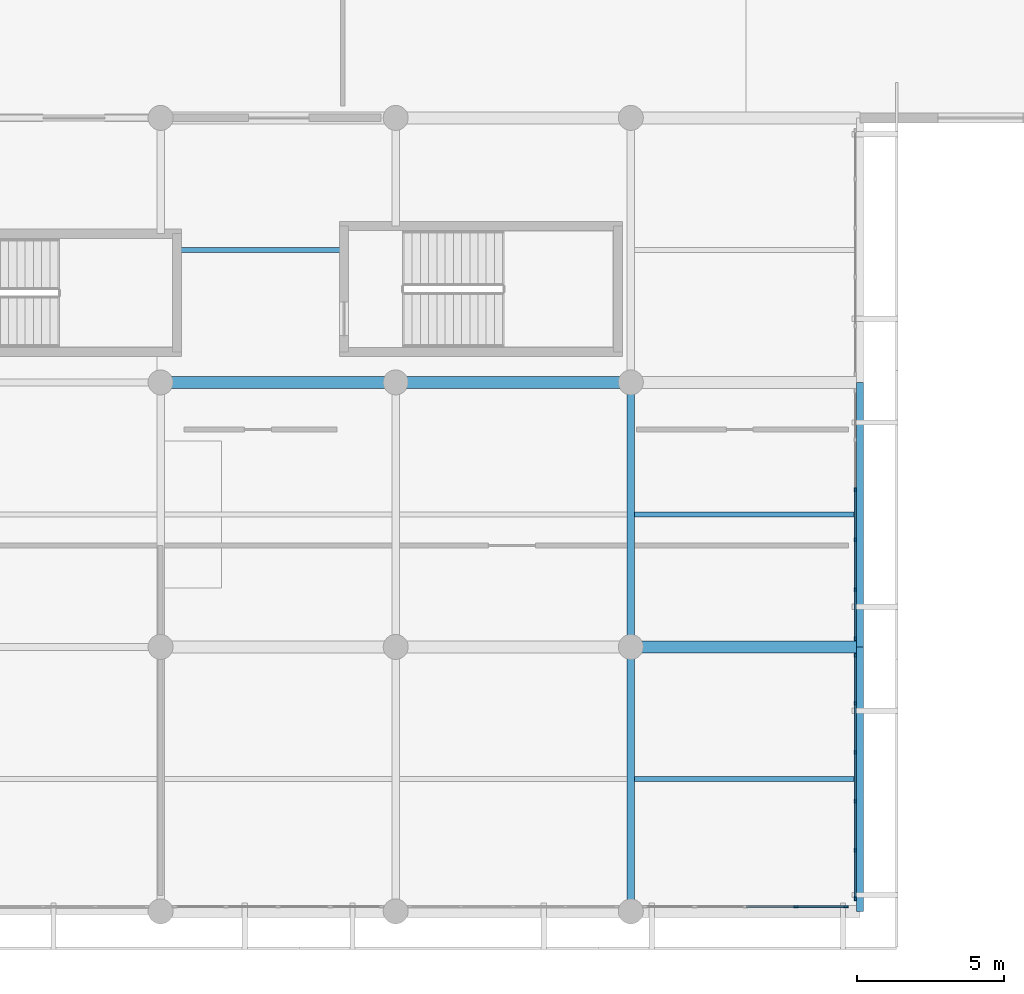
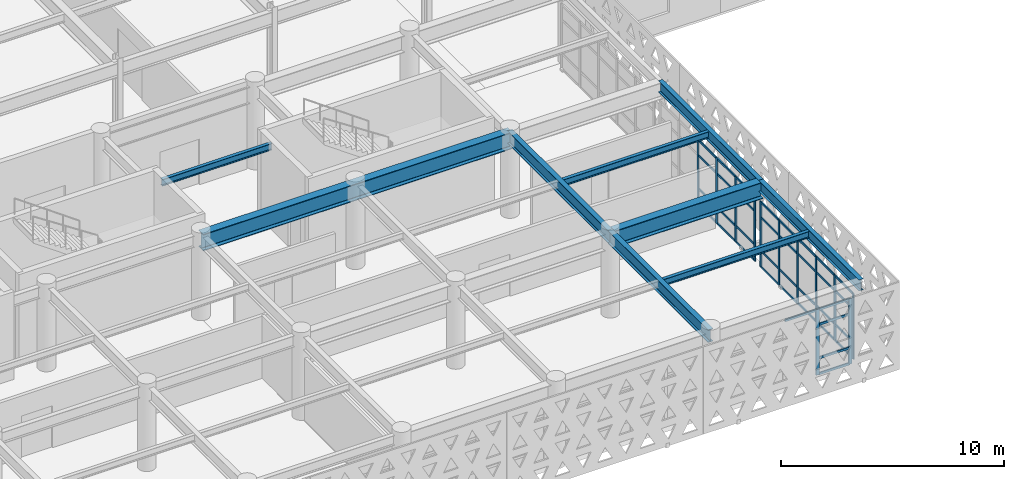
# One storey, part 18 of 54: 49 members, 9 beams, 3 elements without a shape of their own.
"""IFC4 building model written with IfcOpenShell, lengths in metres."""

from ifc_helpers import new_model, si_unit, direction, frame, origin, origin_2d, place, context, subcontext, project, spatial, rectangle, i_section, extrude, material, layer, layer_set, material_profile, profile_set, type_object, element, aggregate, save


model = new_model("IFC4")

# Units and contexts
model_context = context("Model", 3, precision=1e-05, world=origin(), true_north=direction((0.0, 1.0)))
body_context = subcontext(model_context, "Body", "Model", "MODEL_VIEW")
ifc_project = project(units=[si_unit("LENGTHUNIT", "METRE"), si_unit("AREAUNIT", "SQUARE_METRE"), si_unit("VOLUMEUNIT", "CUBIC_METRE"), si_unit("PLANEANGLEUNIT", "RADIAN"), si_unit("MASSUNIT", "GRAM", prefix="KILO")], contexts=[model_context])

# Site, building, storey
site_placement = place(None, origin())
site = spatial("IfcSite", under=ifc_project, at=site_placement, CompositionType="ELEMENT")
building_placement = place(site_placement, origin())
building = spatial("IfcBuilding", under=site, at=building_placement, Name="Tlacozan Convention Centre", CompositionType="ELEMENT")
storey_placement = place(building_placement, frame((0.0, 0.0, 11.39990234375)))
storey = spatial("IfcBuildingStorey", under=building, at=storey_placement, Name="L02", CompositionType="ELEMENT", Elevation=11.39990234375)

# Beam
ifc_material_1 = material(Name="Steel ASTM A992 Grade 50", Category="steel")
ifc_material_profile_1 = material_profile(ifc_material_1, i_section(OverallWidth=0.41796875, OverallDepth=0.912109375, WebThickness=0.019287109375, FlangeThickness=0.031982421875, FilletRadius=0.02001953125, at=origin_2d()), Name="IR 914x342.0")
ifc_profile_set_1 = profile_set([ifc_material_profile_1], Name="Steel ASTM A992 Grade 50")
beam_type_1 = type_object("IfcBeamType", Name="Cantilever Girder IR 914x342", PredefinedType="BEAM", material=ifc_profile_set_1)
beam_1_placement = place(storey_placement, frame((112.0, 9.0, 4.093994140625), z_axis=(1.0, 0.0, 0.0), x_axis=(0.0, 1.0, 0.0)))
element("IfcBeam", 1, at=beam_1_placement, inside=storey, type_object=beam_type_1, Name="L02 Cantilever Girder IR 914x342 455", PredefinedType="BEAM", context=body_context, shape_type="SweptSolid", body=[
    extrude(i_section(OverallWidth=0.41796875, OverallDepth=0.912109375, WebThickness=0.019287109375, FlangeThickness=0.031982421875, FilletRadius=0.02001953125, at=origin_2d()), origin(), (0.0, 0.0, 1.0), 7.800048828125),
])

# Curtain wall, members
ifc_material_2 = material(Name="Dark Bronze Anodised Aluminium", Category="aluminium")
ifc_layer_1 = layer(ifc_material_2, 0.159912109375)
ifc_layer_set_1 = layer_set([ifc_layer_1], Name="Dark Bronze Anodised Aluminium")
curtain_wall_type_1 = type_object("IfcCurtainWallType", Name="Unitised Congress Gable End CW06", PredefinedType="NOTDEFINED", material=ifc_layer_set_1)
curtain_wall_1_placement = place(storey_placement, origin())
curtain_wall_1 = element("IfcCurtainWall", 2, at=curtain_wall_1_placement, inside=storey, type_object=curtain_wall_type_1, Name="L02 CW-06 Run 97", PredefinedType="NOTDEFINED")
ifc_material_profile_2 = material_profile(ifc_material_2, rectangle(XDim=0.06005859375, YDim=0.139892578125, at=origin_2d()), Name="ALU 60x140")
ifc_profile_set_2 = profile_set([ifc_material_profile_2], Name="Dark Bronze Anodised Aluminium")
member_type_1 = type_object("IfcMemberType", Name="Curtain Wall Light Mullion 60x140", PredefinedType="MULLION", material=ifc_profile_set_2)
member_1_placement = place(storey_placement, frame((119.639892578125, 0.43994140625, 0.0), z_axis=(0.0, 0.0, 1.0), x_axis=(-1.0, 0.0, 0.0)))
member_1 = element("IfcMember", 3, at=member_1_placement, type_object=member_type_1, Name="CW-06 mullion 1", PredefinedType="MULLION", context=body_context, shape_type="SweptSolid", body=[
    extrude(rectangle(XDim=0.06005859375, YDim=0.139892578125, at=origin_2d()), origin(), (0.0, 0.0, 1.0), 3.590087890625),
])
member_2_placement = place(storey_placement, frame((119.639892578125, 2.077880859375, 0.0), z_axis=(0.0, 0.0, 1.0), x_axis=(-1.0, 0.0, 0.0)))
member_2 = element("IfcMember", 4, at=member_2_placement, type_object=member_type_1, Name="CW-06 mullion 2", PredefinedType="MULLION", context=body_context, shape_type="SweptSolid", body=[
    extrude(rectangle(XDim=0.06005859375, YDim=0.139892578125, at=origin_2d()), origin(), (0.0, 0.0, 1.0), 3.590087890625),
])
member_3_placement = place(storey_placement, frame((119.639892578125, 3.74609375, 0.0), z_axis=(0.0, 0.0, 1.0), x_axis=(-1.0, 0.0, 0.0)))
member_3 = element("IfcMember", 5, at=member_3_placement, type_object=member_type_1, Name="CW-06 mullion 3", PredefinedType="MULLION", context=body_context, shape_type="SweptSolid", body=[
    extrude(rectangle(XDim=0.06005859375, YDim=0.139892578125, at=origin_2d()), origin(), (0.0, 0.0, 1.0), 3.590087890625),
])
member_4_placement = place(storey_placement, frame((119.639892578125, 5.4140625, 0.0), z_axis=(0.0, 0.0, 1.0), x_axis=(-1.0, 0.0, 0.0)))
member_4 = element("IfcMember", 6, at=member_4_placement, type_object=member_type_1, Name="CW-06 mullion 4", PredefinedType="MULLION", context=body_context, shape_type="SweptSolid", body=[
    extrude(rectangle(XDim=0.06005859375, YDim=0.139892578125, at=origin_2d()), origin(), (0.0, 0.0, 1.0), 3.590087890625),
])
member_5_placement = place(storey_placement, frame((119.639892578125, 7.08203125, 0.0), z_axis=(0.0, 0.0, 1.0), x_axis=(-1.0, 0.0, 0.0)))
member_5 = element("IfcMember", 7, at=member_5_placement, type_object=member_type_1, Name="CW-06 mullion 5", PredefinedType="MULLION", context=body_context, shape_type="SweptSolid", body=[
    extrude(rectangle(XDim=0.06005859375, YDim=0.139892578125, at=origin_2d()), origin(), (0.0, 0.0, 1.0), 3.590087890625),
])
member_6_placement = place(storey_placement, frame((119.639892578125, 8.719970703125, 0.0), z_axis=(0.0, 0.0, 1.0), x_axis=(-1.0, 0.0, 0.0)))
member_6 = element("IfcMember", 8, at=member_6_placement, type_object=member_type_1, Name="CW-06 mullion 6", PredefinedType="MULLION", context=body_context, shape_type="SweptSolid", body=[
    extrude(rectangle(XDim=0.06005859375, YDim=0.139892578125, at=origin_2d()), origin(), (0.0, 0.0, 1.0), 3.590087890625),
])

curtain_wall_2_placement = place(storey_placement, origin())
curtain_wall_2 = element("IfcCurtainWall", 9, at=curtain_wall_2_placement, inside=storey, type_object=curtain_wall_type_1, Name="L02 CW-06 Run 99", PredefinedType="NOTDEFINED")
member_7_placement = place(storey_placement, frame((119.639892578125, 9.280029296875, 0.0), z_axis=(0.0, 0.0, 1.0), x_axis=(-1.0, 0.0, 0.0)))
member_7 = element("IfcMember", 10, at=member_7_placement, type_object=member_type_1, Name="CW-06 mullion 1", PredefinedType="MULLION", context=body_context, shape_type="SweptSolid", body=[
    extrude(rectangle(XDim=0.06005859375, YDim=0.139892578125, at=origin_2d()), origin(), (0.0, 0.0, 1.0), 3.590087890625),
])
member_8_placement = place(storey_placement, frame((119.639892578125, 10.949951171875, 0.0), z_axis=(0.0, 0.0, 1.0), x_axis=(-1.0, 0.0, 0.0)))
member_8 = element("IfcMember", 11, at=member_8_placement, type_object=member_type_1, Name="CW-06 mullion 2", PredefinedType="MULLION", context=body_context, shape_type="SweptSolid", body=[
    extrude(rectangle(XDim=0.06005859375, YDim=0.139892578125, at=origin_2d()), origin(), (0.0, 0.0, 1.0), 3.590087890625),
])
member_9_placement = place(storey_placement, frame((119.639892578125, 12.64990234375, 0.0), z_axis=(0.0, 0.0, 1.0), x_axis=(-1.0, 0.0, 0.0)))
member_9 = element("IfcMember", 12, at=member_9_placement, type_object=member_type_1, Name="CW-06 mullion 3", PredefinedType="MULLION", context=body_context, shape_type="SweptSolid", body=[
    extrude(rectangle(XDim=0.06005859375, YDim=0.139892578125, at=origin_2d()), origin(), (0.0, 0.0, 1.0), 3.590087890625),
])
member_10_placement = place(storey_placement, frame((119.639892578125, 14.35009765625, 0.0), z_axis=(0.0, 0.0, 1.0), x_axis=(-1.0, 0.0, 0.0)))
member_10 = element("IfcMember", 13, at=member_10_placement, type_object=member_type_1, Name="CW-06 mullion 4", PredefinedType="MULLION", context=body_context, shape_type="SweptSolid", body=[
    extrude(rectangle(XDim=0.06005859375, YDim=0.139892578125, at=origin_2d()), origin(), (0.0, 0.0, 1.0), 3.590087890625),
])

# Member
ifc_material_profile_3 = material_profile(ifc_material_2, rectangle(XDim=0.06005859375, YDim=0.110107421875, at=origin_2d()), Name="ALU 60x110")
ifc_profile_set_3 = profile_set([ifc_material_profile_3], Name="Dark Bronze Anodised Aluminium")
member_type_2 = type_object("IfcMemberType", Name="Curtain Wall Light Transom 60x110", PredefinedType="USERDEFINED", material=ifc_profile_set_3)
member_11_placement = place(storey_placement, frame((119.639892578125, 0.469970703125, 0.030029296875), z_axis=(0.0, 1.0, 0.0), x_axis=(-1.0, 0.0, 0.0)))
member_11 = element("IfcMember", 14, at=member_11_placement, type_object=member_type_2, Name="CW-06 transom 1.1", ObjectType="TRANSOM", PredefinedType="USERDEFINED", context=body_context, shape_type="SweptSolid", body=[
    extrude(rectangle(XDim=0.06005859375, YDim=0.110107421875, at=origin_2d()), origin(), (0.0, 0.0, 1.0), 1.578125),
])

member_12_placement = place(storey_placement, frame((119.639892578125, 0.469970703125, 0.900146484375), z_axis=(0.0, 1.0, 0.0), x_axis=(-1.0, 0.0, 0.0)))
member_12 = element("IfcMember", 15, at=member_12_placement, type_object=member_type_2, Name="CW-06 transom 1.2", ObjectType="TRANSOM", PredefinedType="USERDEFINED", context=body_context, shape_type="SweptSolid", body=[
    extrude(rectangle(XDim=0.06005859375, YDim=0.110107421875, at=origin_2d()), origin(), (0.0, 0.0, 1.0), 1.578125),
])

member_13_placement = place(storey_placement, frame((119.639892578125, 0.469970703125, 2.739990234375), z_axis=(0.0, 1.0, 0.0), x_axis=(-1.0, 0.0, 0.0)))
member_13 = element("IfcMember", 16, at=member_13_placement, type_object=member_type_2, Name="CW-06 transom 1.3", ObjectType="TRANSOM", PredefinedType="USERDEFINED", context=body_context, shape_type="SweptSolid", body=[
    extrude(rectangle(XDim=0.06005859375, YDim=0.110107421875, at=origin_2d()), origin(), (0.0, 0.0, 1.0), 1.578125),
])

member_14_placement = place(storey_placement, frame((119.639892578125, 0.469970703125, 3.56005859375), z_axis=(0.0, 1.0, 0.0), x_axis=(-1.0, 0.0, 0.0)))
member_14 = element("IfcMember", 17, at=member_14_placement, type_object=member_type_2, Name="CW-06 transom 1.4", ObjectType="TRANSOM", PredefinedType="USERDEFINED", context=body_context, shape_type="SweptSolid", body=[
    extrude(rectangle(XDim=0.06005859375, YDim=0.110107421875, at=origin_2d()), origin(), (0.0, 0.0, 1.0), 1.578125),
])

member_15_placement = place(storey_placement, frame((119.639892578125, 2.10791015625, 0.030029296875), z_axis=(0.0, 1.0, 0.0), x_axis=(-1.0, 0.0, 0.0)))
member_15 = element("IfcMember", 18, at=member_15_placement, type_object=member_type_2, Name="CW-06 transom 2.1", ObjectType="TRANSOM", PredefinedType="USERDEFINED", context=body_context, shape_type="SweptSolid", body=[
    extrude(rectangle(XDim=0.06005859375, YDim=0.110107421875, at=origin_2d()), origin(), (0.0, 0.0, 1.0), 1.608154296875),
])

member_16_placement = place(storey_placement, frame((119.639892578125, 2.10791015625, 0.900146484375), z_axis=(0.0, 1.0, 0.0), x_axis=(-1.0, 0.0, 0.0)))
member_16 = element("IfcMember", 19, at=member_16_placement, type_object=member_type_2, Name="CW-06 transom 2.2", ObjectType="TRANSOM", PredefinedType="USERDEFINED", context=body_context, shape_type="SweptSolid", body=[
    extrude(rectangle(XDim=0.06005859375, YDim=0.110107421875, at=origin_2d()), origin(), (0.0, 0.0, 1.0), 1.608154296875),
])

member_17_placement = place(storey_placement, frame((119.639892578125, 2.10791015625, 2.739990234375), z_axis=(0.0, 1.0, 0.0), x_axis=(-1.0, 0.0, 0.0)))
member_17 = element("IfcMember", 20, at=member_17_placement, type_object=member_type_2, Name="CW-06 transom 2.3", ObjectType="TRANSOM", PredefinedType="USERDEFINED", context=body_context, shape_type="SweptSolid", body=[
    extrude(rectangle(XDim=0.06005859375, YDim=0.110107421875, at=origin_2d()), origin(), (0.0, 0.0, 1.0), 1.608154296875),
])

member_18_placement = place(storey_placement, frame((119.639892578125, 2.10791015625, 3.56005859375), z_axis=(0.0, 1.0, 0.0), x_axis=(-1.0, 0.0, 0.0)))
member_18 = element("IfcMember", 21, at=member_18_placement, type_object=member_type_2, Name="CW-06 transom 2.4", ObjectType="TRANSOM", PredefinedType="USERDEFINED", context=body_context, shape_type="SweptSolid", body=[
    extrude(rectangle(XDim=0.06005859375, YDim=0.110107421875, at=origin_2d()), origin(), (0.0, 0.0, 1.0), 1.608154296875),
])

member_19_placement = place(storey_placement, frame((119.639892578125, 3.77587890625, 0.030029296875), z_axis=(0.0, 1.0, 0.0), x_axis=(-1.0, 0.0, 0.0)))
member_19 = element("IfcMember", 22, at=member_19_placement, type_object=member_type_2, Name="CW-06 transom 3.1", ObjectType="TRANSOM", PredefinedType="USERDEFINED", context=body_context, shape_type="SweptSolid", body=[
    extrude(rectangle(XDim=0.06005859375, YDim=0.110107421875, at=origin_2d()), origin(), (0.0, 0.0, 1.0), 1.608154296875),
])

member_20_placement = place(storey_placement, frame((119.639892578125, 3.77587890625, 0.900146484375), z_axis=(0.0, 1.0, 0.0), x_axis=(-1.0, 0.0, 0.0)))
member_20 = element("IfcMember", 23, at=member_20_placement, type_object=member_type_2, Name="CW-06 transom 3.2", ObjectType="TRANSOM", PredefinedType="USERDEFINED", context=body_context, shape_type="SweptSolid", body=[
    extrude(rectangle(XDim=0.06005859375, YDim=0.110107421875, at=origin_2d()), origin(), (0.0, 0.0, 1.0), 1.608154296875),
])

member_21_placement = place(storey_placement, frame((119.639892578125, 3.77587890625, 2.739990234375), z_axis=(0.0, 1.0, 0.0), x_axis=(-1.0, 0.0, 0.0)))
member_21 = element("IfcMember", 24, at=member_21_placement, type_object=member_type_2, Name="CW-06 transom 3.3", ObjectType="TRANSOM", PredefinedType="USERDEFINED", context=body_context, shape_type="SweptSolid", body=[
    extrude(rectangle(XDim=0.06005859375, YDim=0.110107421875, at=origin_2d()), origin(), (0.0, 0.0, 1.0), 1.608154296875),
])

member_22_placement = place(storey_placement, frame((119.639892578125, 3.77587890625, 3.56005859375), z_axis=(0.0, 1.0, 0.0), x_axis=(-1.0, 0.0, 0.0)))
member_22 = element("IfcMember", 25, at=member_22_placement, type_object=member_type_2, Name="CW-06 transom 3.4", ObjectType="TRANSOM", PredefinedType="USERDEFINED", context=body_context, shape_type="SweptSolid", body=[
    extrude(rectangle(XDim=0.06005859375, YDim=0.110107421875, at=origin_2d()), origin(), (0.0, 0.0, 1.0), 1.608154296875),
])

member_23_placement = place(storey_placement, frame((119.639892578125, 5.444091796875, 0.030029296875), z_axis=(0.0, 1.0, 0.0), x_axis=(-1.0, 0.0, 0.0)))
member_23 = element("IfcMember", 26, at=member_23_placement, type_object=member_type_2, Name="CW-06 transom 4.1", ObjectType="TRANSOM", PredefinedType="USERDEFINED", context=body_context, shape_type="SweptSolid", body=[
    extrude(rectangle(XDim=0.06005859375, YDim=0.110107421875, at=origin_2d()), origin(), (0.0, 0.0, 1.0), 1.60791015625),
])

member_24_placement = place(storey_placement, frame((119.639892578125, 5.444091796875, 0.900146484375), z_axis=(0.0, 1.0, 0.0), x_axis=(-1.0, 0.0, 0.0)))
member_24 = element("IfcMember", 27, at=member_24_placement, type_object=member_type_2, Name="CW-06 transom 4.2", ObjectType="TRANSOM", PredefinedType="USERDEFINED", context=body_context, shape_type="SweptSolid", body=[
    extrude(rectangle(XDim=0.06005859375, YDim=0.110107421875, at=origin_2d()), origin(), (0.0, 0.0, 1.0), 1.60791015625),
])

member_25_placement = place(storey_placement, frame((119.639892578125, 5.444091796875, 2.739990234375), z_axis=(0.0, 1.0, 0.0), x_axis=(-1.0, 0.0, 0.0)))
member_25 = element("IfcMember", 28, at=member_25_placement, type_object=member_type_2, Name="CW-06 transom 4.3", ObjectType="TRANSOM", PredefinedType="USERDEFINED", context=body_context, shape_type="SweptSolid", body=[
    extrude(rectangle(XDim=0.06005859375, YDim=0.110107421875, at=origin_2d()), origin(), (0.0, 0.0, 1.0), 1.60791015625),
])

member_26_placement = place(storey_placement, frame((119.639892578125, 5.444091796875, 3.56005859375), z_axis=(0.0, 1.0, 0.0), x_axis=(-1.0, 0.0, 0.0)))
member_26 = element("IfcMember", 29, at=member_26_placement, type_object=member_type_2, Name="CW-06 transom 4.4", ObjectType="TRANSOM", PredefinedType="USERDEFINED", context=body_context, shape_type="SweptSolid", body=[
    extrude(rectangle(XDim=0.06005859375, YDim=0.110107421875, at=origin_2d()), origin(), (0.0, 0.0, 1.0), 1.60791015625),
])

member_27_placement = place(storey_placement, frame((119.639892578125, 7.112060546875, 0.030029296875), z_axis=(0.0, 1.0, 0.0), x_axis=(-1.0, 0.0, 0.0)))
member_27 = element("IfcMember", 30, at=member_27_placement, type_object=member_type_2, Name="CW-06 transom 5.1", ObjectType="TRANSOM", PredefinedType="USERDEFINED", context=body_context, shape_type="SweptSolid", body=[
    extrude(rectangle(XDim=0.06005859375, YDim=0.110107421875, at=origin_2d()), origin(), (0.0, 0.0, 1.0), 1.577880859375),
])

member_28_placement = place(storey_placement, frame((119.639892578125, 7.112060546875, 0.900146484375), z_axis=(0.0, 1.0, 0.0), x_axis=(-1.0, 0.0, 0.0)))
member_28 = element("IfcMember", 31, at=member_28_placement, type_object=member_type_2, Name="CW-06 transom 5.2", ObjectType="TRANSOM", PredefinedType="USERDEFINED", context=body_context, shape_type="SweptSolid", body=[
    extrude(rectangle(XDim=0.06005859375, YDim=0.110107421875, at=origin_2d()), origin(), (0.0, 0.0, 1.0), 1.577880859375),
])

member_29_placement = place(storey_placement, frame((119.639892578125, 7.112060546875, 2.739990234375), z_axis=(0.0, 1.0, 0.0), x_axis=(-1.0, 0.0, 0.0)))
member_29 = element("IfcMember", 32, at=member_29_placement, type_object=member_type_2, Name="CW-06 transom 5.3", ObjectType="TRANSOM", PredefinedType="USERDEFINED", context=body_context, shape_type="SweptSolid", body=[
    extrude(rectangle(XDim=0.06005859375, YDim=0.110107421875, at=origin_2d()), origin(), (0.0, 0.0, 1.0), 1.577880859375),
])

member_30_placement = place(storey_placement, frame((119.639892578125, 7.112060546875, 3.56005859375), z_axis=(0.0, 1.0, 0.0), x_axis=(-1.0, 0.0, 0.0)))
member_30 = element("IfcMember", 33, at=member_30_placement, type_object=member_type_2, Name="CW-06 transom 5.4", ObjectType="TRANSOM", PredefinedType="USERDEFINED", context=body_context, shape_type="SweptSolid", body=[
    extrude(rectangle(XDim=0.06005859375, YDim=0.110107421875, at=origin_2d()), origin(), (0.0, 0.0, 1.0), 1.577880859375),
])

aggregate(curtain_wall_1, [member_1, member_2, member_3, member_4, member_5, member_6, member_11, member_12, member_13, member_14, member_15, member_16, member_17, member_18, member_19, member_20, member_21, member_22, member_23, member_24, member_25, member_26, member_27, member_28, member_29, member_30])

member_31_placement = place(storey_placement, frame((119.639892578125, 9.31005859375, 0.030029296875), z_axis=(0.0, 1.0, 0.0), x_axis=(-1.0, 0.0, 0.0)))
member_31 = element("IfcMember", 34, at=member_31_placement, type_object=member_type_2, Name="CW-06 transom 1.1", ObjectType="TRANSOM", PredefinedType="USERDEFINED", context=body_context, shape_type="SweptSolid", body=[
    extrude(rectangle(XDim=0.06005859375, YDim=0.110107421875, at=origin_2d()), origin(), (0.0, 0.0, 1.0), 1.60986328125),
])

member_32_placement = place(storey_placement, frame((119.639892578125, 9.31005859375, 0.900146484375), z_axis=(0.0, 1.0, 0.0), x_axis=(-1.0, 0.0, 0.0)))
member_32 = element("IfcMember", 35, at=member_32_placement, type_object=member_type_2, Name="CW-06 transom 1.2", ObjectType="TRANSOM", PredefinedType="USERDEFINED", context=body_context, shape_type="SweptSolid", body=[
    extrude(rectangle(XDim=0.06005859375, YDim=0.110107421875, at=origin_2d()), origin(), (0.0, 0.0, 1.0), 1.60986328125),
])

member_33_placement = place(storey_placement, frame((119.639892578125, 9.31005859375, 2.739990234375), z_axis=(0.0, 1.0, 0.0), x_axis=(-1.0, 0.0, 0.0)))
member_33 = element("IfcMember", 36, at=member_33_placement, type_object=member_type_2, Name="CW-06 transom 1.3", ObjectType="TRANSOM", PredefinedType="USERDEFINED", context=body_context, shape_type="SweptSolid", body=[
    extrude(rectangle(XDim=0.06005859375, YDim=0.110107421875, at=origin_2d()), origin(), (0.0, 0.0, 1.0), 1.60986328125),
])

member_34_placement = place(storey_placement, frame((119.639892578125, 9.31005859375, 3.56005859375), z_axis=(0.0, 1.0, 0.0), x_axis=(-1.0, 0.0, 0.0)))
member_34 = element("IfcMember", 37, at=member_34_placement, type_object=member_type_2, Name="CW-06 transom 1.4", ObjectType="TRANSOM", PredefinedType="USERDEFINED", context=body_context, shape_type="SweptSolid", body=[
    extrude(rectangle(XDim=0.06005859375, YDim=0.110107421875, at=origin_2d()), origin(), (0.0, 0.0, 1.0), 1.60986328125),
])

member_35_placement = place(storey_placement, frame((119.639892578125, 10.97998046875, 0.030029296875), z_axis=(0.0, 1.0, 0.0), x_axis=(-1.0, 0.0, 0.0)))
member_35 = element("IfcMember", 38, at=member_35_placement, type_object=member_type_2, Name="CW-06 transom 2.1", ObjectType="TRANSOM", PredefinedType="USERDEFINED", context=body_context, shape_type="SweptSolid", body=[
    extrude(rectangle(XDim=0.06005859375, YDim=0.110107421875, at=origin_2d()), origin(), (0.0, 0.0, 1.0), 1.64013671875),
])

member_36_placement = place(storey_placement, frame((119.639892578125, 10.97998046875, 0.900146484375), z_axis=(0.0, 1.0, 0.0), x_axis=(-1.0, 0.0, 0.0)))
member_36 = element("IfcMember", 39, at=member_36_placement, type_object=member_type_2, Name="CW-06 transom 2.2", ObjectType="TRANSOM", PredefinedType="USERDEFINED", context=body_context, shape_type="SweptSolid", body=[
    extrude(rectangle(XDim=0.06005859375, YDim=0.110107421875, at=origin_2d()), origin(), (0.0, 0.0, 1.0), 1.64013671875),
])

member_37_placement = place(storey_placement, frame((119.639892578125, 10.97998046875, 2.739990234375), z_axis=(0.0, 1.0, 0.0), x_axis=(-1.0, 0.0, 0.0)))
member_37 = element("IfcMember", 40, at=member_37_placement, type_object=member_type_2, Name="CW-06 transom 2.3", ObjectType="TRANSOM", PredefinedType="USERDEFINED", context=body_context, shape_type="SweptSolid", body=[
    extrude(rectangle(XDim=0.06005859375, YDim=0.110107421875, at=origin_2d()), origin(), (0.0, 0.0, 1.0), 1.64013671875),
])

member_38_placement = place(storey_placement, frame((119.639892578125, 10.97998046875, 3.56005859375), z_axis=(0.0, 1.0, 0.0), x_axis=(-1.0, 0.0, 0.0)))
member_38 = element("IfcMember", 41, at=member_38_placement, type_object=member_type_2, Name="CW-06 transom 2.4", ObjectType="TRANSOM", PredefinedType="USERDEFINED", context=body_context, shape_type="SweptSolid", body=[
    extrude(rectangle(XDim=0.06005859375, YDim=0.110107421875, at=origin_2d()), origin(), (0.0, 0.0, 1.0), 1.64013671875),
])

member_39_placement = place(storey_placement, frame((119.639892578125, 12.679931640625, 0.030029296875), z_axis=(0.0, 1.0, 0.0), x_axis=(-1.0, 0.0, 0.0)))
member_39 = element("IfcMember", 42, at=member_39_placement, type_object=member_type_2, Name="CW-06 transom 3.1", ObjectType="TRANSOM", PredefinedType="USERDEFINED", context=body_context, shape_type="SweptSolid", body=[
    extrude(rectangle(XDim=0.06005859375, YDim=0.110107421875, at=origin_2d()), origin(), (0.0, 0.0, 1.0), 1.64013671875),
])

member_40_placement = place(storey_placement, frame((119.639892578125, 12.679931640625, 0.900146484375), z_axis=(0.0, 1.0, 0.0), x_axis=(-1.0, 0.0, 0.0)))
member_40 = element("IfcMember", 43, at=member_40_placement, type_object=member_type_2, Name="CW-06 transom 3.2", ObjectType="TRANSOM", PredefinedType="USERDEFINED", context=body_context, shape_type="SweptSolid", body=[
    extrude(rectangle(XDim=0.06005859375, YDim=0.110107421875, at=origin_2d()), origin(), (0.0, 0.0, 1.0), 1.64013671875),
])

member_41_placement = place(storey_placement, frame((119.639892578125, 12.679931640625, 2.739990234375), z_axis=(0.0, 1.0, 0.0), x_axis=(-1.0, 0.0, 0.0)))
member_41 = element("IfcMember", 44, at=member_41_placement, type_object=member_type_2, Name="CW-06 transom 3.3", ObjectType="TRANSOM", PredefinedType="USERDEFINED", context=body_context, shape_type="SweptSolid", body=[
    extrude(rectangle(XDim=0.06005859375, YDim=0.110107421875, at=origin_2d()), origin(), (0.0, 0.0, 1.0), 1.64013671875),
])

member_42_placement = place(storey_placement, frame((119.639892578125, 12.679931640625, 3.56005859375), z_axis=(0.0, 1.0, 0.0), x_axis=(-1.0, 0.0, 0.0)))
member_42 = element("IfcMember", 45, at=member_42_placement, type_object=member_type_2, Name="CW-06 transom 3.4", ObjectType="TRANSOM", PredefinedType="USERDEFINED", context=body_context, shape_type="SweptSolid", body=[
    extrude(rectangle(XDim=0.06005859375, YDim=0.110107421875, at=origin_2d()), origin(), (0.0, 0.0, 1.0), 1.64013671875),
])

aggregate(curtain_wall_2, [member_7, member_8, member_9, member_10, member_31, member_32, member_33, member_34, member_35, member_36, member_37, member_38, member_39, member_40, member_41, member_42])

# Curtain wall, members
ifc_layer_2 = layer(ifc_material_2, 0.159912109375)
ifc_layer_set_2 = layer_set([ifc_layer_2], Name="Dark Bronze Anodised Aluminium")
curtain_wall_type_2 = type_object("IfcCurtainWallType", Name="Unitised Congress L02 South CW03", PredefinedType="NOTDEFINED", material=ifc_layer_set_2)
curtain_wall_3_placement = place(storey_placement, origin())
curtain_wall_3 = element("IfcCurtainWall", 46, at=curtain_wall_3_placement, inside=storey, type_object=curtain_wall_type_2, Name="L02 CW-03 Run 92", PredefinedType="NOTDEFINED")
ifc_material_profile_4 = material_profile(ifc_material_2, rectangle(XDim=0.06494140625, YDim=0.159912109375, at=origin_2d()), Name="ALU 65x160")
ifc_profile_set_4 = profile_set([ifc_material_profile_4], Name="Dark Bronze Anodised Aluminium")
member_type_3 = type_object("IfcMemberType", Name="Curtain Wall Mullion 65x160", PredefinedType="MULLION", material=ifc_profile_set_4)
member_43_placement = place(storey_placement, frame((117.625, 0.159912109375, 0.0), z_axis=(0.0, 0.0, 1.0), x_axis=(0.0, 1.0, 0.0)))
member_43 = element("IfcMember", 47, at=member_43_placement, type_object=member_type_3, Name="CW-03 mullion 4", PredefinedType="MULLION", context=body_context, shape_type="SweptSolid", body=[
    extrude(rectangle(XDim=0.06494140625, YDim=0.159912109375, at=origin_2d()), origin(), (0.0, 0.0, 1.0), 3.590087890625),
])
member_44_placement = place(storey_placement, frame((119.3173828125, 0.159912109375, 0.0), z_axis=(0.0, 0.0, 1.0), x_axis=(0.0, 1.0, 0.0)))
member_44 = element("IfcMember", 48, at=member_44_placement, type_object=member_type_3, Name="CW-03 mullion 5", PredefinedType="MULLION", context=body_context, shape_type="SweptSolid", body=[
    extrude(rectangle(XDim=0.06494140625, YDim=0.159912109375, at=origin_2d()), origin(), (0.0, 0.0, 1.0), 3.590087890625),
])
ifc_material_profile_5 = material_profile(ifc_material_2, rectangle(XDim=0.06494140625, YDim=0.125, at=origin_2d()), Name="ALU 65x125")
ifc_profile_set_5 = profile_set([ifc_material_profile_5], Name="Dark Bronze Anodised Aluminium")
member_type_4 = type_object("IfcMemberType", Name="Curtain Wall Transom 65x125", PredefinedType="USERDEFINED", material=ifc_profile_set_5)
member_45_placement = place(storey_placement, frame((115.9326171875, 0.159912109375, 3.5576171875), z_axis=(1.0, 0.0, 0.0), x_axis=(0.0, 1.0, 0.0)))
member_45 = element("IfcMember", 49, at=member_45_placement, type_object=member_type_4, Name="CW-03 transom 3.4", ObjectType="TRANSOM", PredefinedType="USERDEFINED", context=body_context, shape_type="SweptSolid", body=[
    extrude(rectangle(XDim=0.06494140625, YDim=0.125, at=origin_2d()), origin(), (0.0, 0.0, 1.0), 1.659912109375),
])
member_46_placement = place(storey_placement, frame((117.657470703125, 0.159912109375, 0.03271484375), z_axis=(1.0, 0.0, 0.0), x_axis=(0.0, 1.0, 0.0)))
member_46 = element("IfcMember", 50, at=member_46_placement, type_object=member_type_4, Name="CW-03 transom 4.1", ObjectType="TRANSOM", PredefinedType="USERDEFINED", context=body_context, shape_type="SweptSolid", body=[
    extrude(rectangle(XDim=0.06494140625, YDim=0.125, at=origin_2d()), origin(), (0.0, 0.0, 1.0), 1.62744140625),
])
member_47_placement = place(storey_placement, frame((117.657470703125, 0.159912109375, 0.900146484375), z_axis=(1.0, 0.0, 0.0), x_axis=(0.0, 1.0, 0.0)))
member_47 = element("IfcMember", 51, at=member_47_placement, type_object=member_type_4, Name="CW-03 transom 4.2", ObjectType="TRANSOM", PredefinedType="USERDEFINED", context=body_context, shape_type="SweptSolid", body=[
    extrude(rectangle(XDim=0.06494140625, YDim=0.125, at=origin_2d()), origin(), (0.0, 0.0, 1.0), 1.62744140625),
])
member_48_placement = place(storey_placement, frame((117.657470703125, 0.159912109375, 2.739990234375), z_axis=(1.0, 0.0, 0.0), x_axis=(0.0, 1.0, 0.0)))
member_48 = element("IfcMember", 52, at=member_48_placement, type_object=member_type_4, Name="CW-03 transom 4.3", ObjectType="TRANSOM", PredefinedType="USERDEFINED", context=body_context, shape_type="SweptSolid", body=[
    extrude(rectangle(XDim=0.06494140625, YDim=0.125, at=origin_2d()), origin(), (0.0, 0.0, 1.0), 1.62744140625),
])
member_49_placement = place(storey_placement, frame((117.657470703125, 0.159912109375, 3.5576171875), z_axis=(1.0, 0.0, 0.0), x_axis=(0.0, 1.0, 0.0)))
member_49 = element("IfcMember", 53, at=member_49_placement, type_object=member_type_4, Name="CW-03 transom 4.4", ObjectType="TRANSOM", PredefinedType="USERDEFINED", context=body_context, shape_type="SweptSolid", body=[
    extrude(rectangle(XDim=0.06494140625, YDim=0.125, at=origin_2d()), origin(), (0.0, 0.0, 1.0), 1.62744140625),
])
aggregate(curtain_wall_3, [member_43, member_44, member_45, member_46, member_47, member_48, member_49])

# Beams
ifc_material_profile_6 = material_profile(ifc_material_1, i_section(OverallWidth=0.256103515625, OverallDepth=0.693115234375, WebThickness=0.014404296875, FlangeThickness=0.023681640625, FilletRadius=0.014892578125, at=origin_2d()), Name="IR 686x170.0")
ifc_profile_set_6 = profile_set([ifc_material_profile_6], Name="Steel ASTM A992 Grade 50")
beam_type_2 = type_object("IfcBeamType", Name="Girder Steel IR 686x170", PredefinedType="BEAM", material=ifc_profile_set_6)
for number, where, z_axis, x_axis, name in (
    (54, (112.0, 0.0, 4.20361328125), (0.0, 1.0, 0.0), (-1.0, 0.0, 0.0), "L02 Girder Steel IR 686x170 439"),
    (55, (112.0, 9.0, 4.20361328125), (0.0, 1.0, 0.0), (-1.0, 0.0, 0.0), "L02 Girder Steel IR 686x170 440"),
):
    element("IfcBeam", number, at=place(storey_placement, frame(where, z_axis=z_axis, x_axis=x_axis)), inside=storey, type_object=beam_type_2, Name=name, PredefinedType="BEAM", context=body_context, shape_type="SweptSolid", body=[
        extrude(i_section(OverallWidth=0.256103515625, OverallDepth=0.693115234375, WebThickness=0.014404296875, FlangeThickness=0.023681640625, FilletRadius=0.014892578125, at=origin_2d()), origin(), (0.0, 0.0, 1.0), 9.0),
    ])
ifc_material_profile_7 = material_profile(ifc_material_1, i_section(OverallWidth=0.22900390625, OverallDepth=0.612060546875, WebThickness=0.011962890625, FlangeThickness=0.01953125, FilletRadius=0.012939453125, at=origin_2d()), Name="IR 610x125.0")
ifc_profile_set_7 = profile_set([ifc_material_profile_7], Name="Steel ASTM A992 Grade 50")
beam_type_3 = type_object("IfcBeamType", Name="Perimeter Spandrel IR 610x125", PredefinedType="SPANDREL", material=ifc_profile_set_7)
for number, where, z_axis, x_axis, name in (
    (56, (119.800048828125, 0.0, 4.244140625), (0.0, 1.0, 0.0), (-1.0, 0.0, 0.0), "L02 Perimeter Spandrel IR 610x125 445"),
    (57, (119.800048828125, 9.0, 4.244140625), (0.0, 1.0, 0.0), (-1.0, 0.0, 0.0), "L02 Perimeter Spandrel IR 610x125 446"),
):
    element("IfcBeam", number, at=place(storey_placement, frame(where, z_axis=z_axis, x_axis=x_axis)), inside=storey, type_object=beam_type_3, Name=name, PredefinedType="SPANDREL", context=body_context, shape_type="SweptSolid", body=[
        extrude(i_section(OverallWidth=0.22900390625, OverallDepth=0.612060546875, WebThickness=0.011962890625, FlangeThickness=0.01953125, FilletRadius=0.012939453125, at=origin_2d()), origin(), (0.0, 0.0, 1.0), 9.0),
    ])
ifc_material_profile_8 = material_profile(ifc_material_1, i_section(OverallWidth=0.173095703125, OverallDepth=0.364013671875, WebThickness=0.009033203125, FlangeThickness=0.015625, FilletRadius=0.010009765625, at=origin_2d()), Name="IR 356x67.1")
ifc_profile_set_8 = profile_set([ifc_material_profile_8], Name="Steel ASTM A992 Grade 50")
beam_type_4 = type_object("IfcBeamType", Name="Secondary Joist IR 356x67.1", PredefinedType="JOIST", material=ifc_profile_set_8)
beam_2_placement = place(storey_placement, frame((96.56005859375, 22.5, 4.3681640625), z_axis=(1.0, 0.0, 0.0), x_axis=(0.0, 1.0, 0.0)))
element("IfcBeam", 58, at=beam_2_placement, inside=storey, type_object=beam_type_4, Name="L02 Secondary Joist IR 356x67.1 531", PredefinedType="JOIST", context=body_context, shape_type="SweptSolid", body=[
    extrude(i_section(OverallWidth=0.173095703125, OverallDepth=0.364013671875, WebThickness=0.009033203125, FlangeThickness=0.015625, FilletRadius=0.010009765625, at=origin_2d()), origin(), (0.0, 0.0, 1.0), 5.679931640625),
])
for number, where, z_axis, x_axis, name in (
    (59, (112.1259765625, 4.5, 4.3681640625), (1.0, 0.0, 0.0), (0.0, 1.0, 0.0), "L02 Secondary Joist IR 356x67.1 534"),
    (60, (112.1259765625, 13.5, 4.3681640625), (1.0, 0.0, 0.0), (0.0, 1.0, 0.0), "L02 Secondary Joist IR 356x67.1 535"),
):
    element("IfcBeam", number, at=place(storey_placement, frame(where, z_axis=z_axis, x_axis=x_axis)), inside=storey, type_object=beam_type_4, Name=name, PredefinedType="JOIST", context=body_context, shape_type="SweptSolid", body=[
        extrude(i_section(OverallWidth=0.173095703125, OverallDepth=0.364013671875, WebThickness=0.009033203125, FlangeThickness=0.015625, FilletRadius=0.010009765625, at=origin_2d()), origin(), (0.0, 0.0, 1.0), 7.548095703125),
    ])
ifc_material_profile_9 = material_profile(ifc_material_1, i_section(OverallWidth=0.41796875, OverallDepth=0.912109375, WebThickness=0.019287109375, FlangeThickness=0.031982421875, FilletRadius=0.02001953125, at=origin_2d()), Name="IR 914x342.0")
ifc_profile_set_9 = profile_set([ifc_material_profile_9], Name="Steel ASTM A992 Grade 50")
beam_type_5 = type_object("IfcBeamType", Name="Transfer Girder IR 914x342", PredefinedType="BEAM", material=ifc_profile_set_9)
beam_3_placement = place(storey_placement, frame((96.0, 18.0, 4.093994140625), z_axis=(1.0, 0.0, 0.0), x_axis=(0.0, 1.0, 0.0)))
element("IfcBeam", 61, at=beam_3_placement, inside=storey, type_object=beam_type_5, Name="L02 Transfer Girder IR 914x342 458", PredefinedType="BEAM", context=body_context, shape_type="SweptSolid", body=[
    extrude(i_section(OverallWidth=0.41796875, OverallDepth=0.912109375, WebThickness=0.019287109375, FlangeThickness=0.031982421875, FilletRadius=0.02001953125, at=origin_2d()), origin(), (0.0, 0.0, 1.0), 16.0),
])

save(model, "model.ifc")
